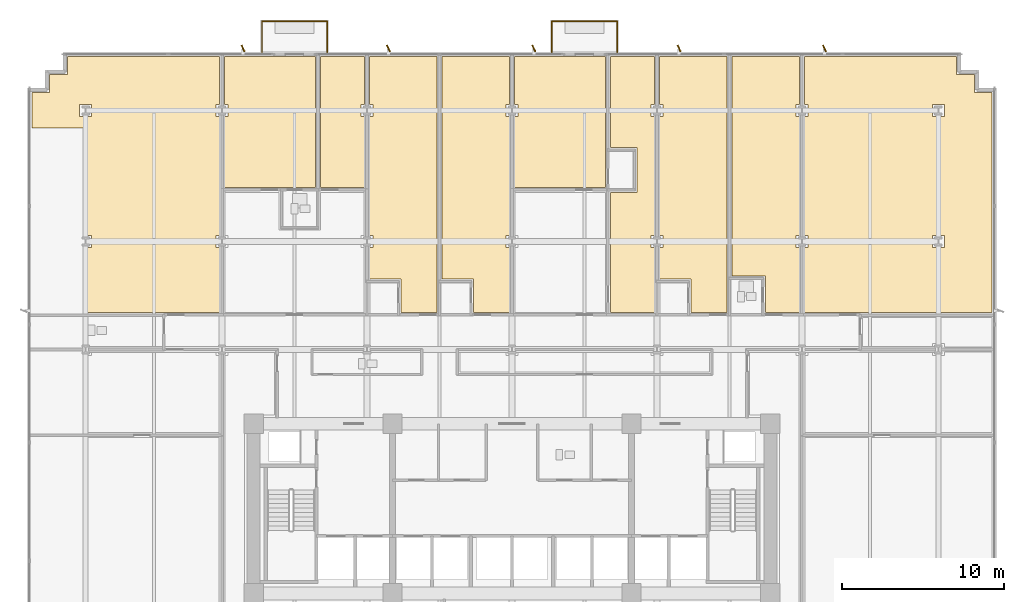
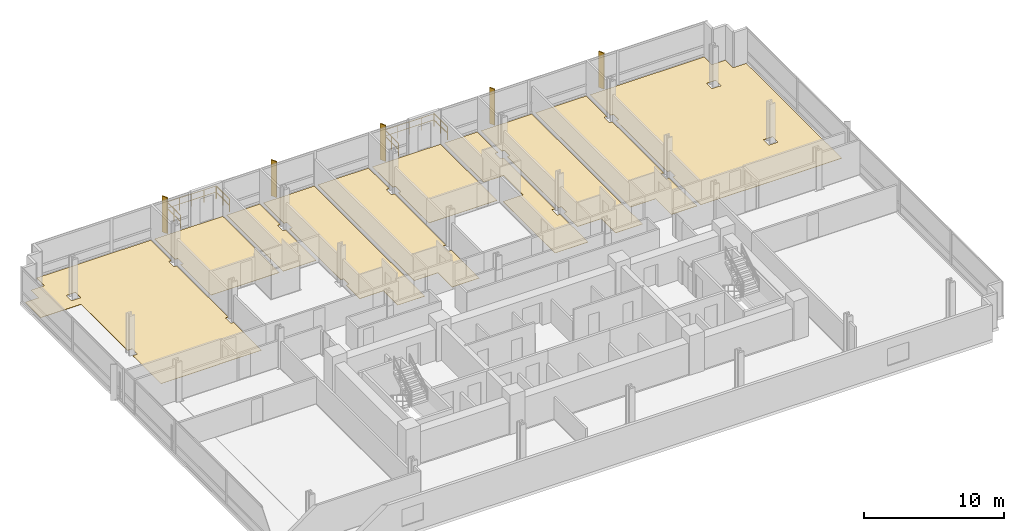
# One storey, part 14 of 15: 10 coverings, 6 railings, 5 shading devices.
"""IFC4 building model written with IfcOpenShell, lengths in metres."""

from ifc_helpers import new_model, si_unit, direction, frame, origin, origin_2d, place, context, subcontext, project, spatial, polyline, rectangle, circle, outline, extrude, material, layer, layer_set, type_object, element, save


model = new_model("IFC4")

# Units and contexts
model_context = context("Model", 3, precision=1e-05, world=origin(), true_north=direction((0.0, 1.0)))
body_context = subcontext(model_context, "Body", "Model", "MODEL_VIEW")
ifc_project = project(units=[si_unit("LENGTHUNIT", "METRE"), si_unit("AREAUNIT", "SQUARE_METRE"), si_unit("VOLUMEUNIT", "CUBIC_METRE"), si_unit("PLANEANGLEUNIT", "RADIAN"), si_unit("MASSUNIT", "GRAM", prefix="KILO")], contexts=[model_context])

# Site, building, storey
site_placement = place(None, origin())
site = spatial("IfcSite", under=ifc_project, at=site_placement, CompositionType="ELEMENT")
building_placement = place(site_placement, origin())
building = spatial("IfcBuilding", under=site, at=building_placement, Name="Solmavex Isthmus Hotel", CompositionType="ELEMENT")
storey_placement = place(building_placement, frame((0.0, 0.0, 71.25)))
storey = spatial("IfcBuildingStorey", under=building, at=storey_placement, Name="L19", CompositionType="ELEMENT", Elevation=71.25)

# Coverings
ifc_material_1 = material(Name="Travertine natural stone", Category="masonry")
ifc_layer_1 = layer(ifc_material_1, 0.02490234375)
ifc_layer_set_1 = layer_set([ifc_layer_1], Name="Travertine natural stone")
covering_type = type_object("IfcCoveringType", Name="COV-FLOR-STN", PredefinedType="FLOORING", material=ifc_layer_set_1)
covering_1_placement = place(storey_placement, origin())
element("IfcCovering", 1, at=covering_1_placement, inside=storey, type_object=covering_type, Name="Stone and Timber Floor Finish L19-RM01", PredefinedType="FLOORING", context=body_context, shape_type="SweptSolid", body=[
    extrude(outline(polyline([(-21.70703125, 4.385009765625), (-21.70703125, 4.405029296875), (-18.10693359375, 4.405029296875), (-18.10693359375, 8.407958984375), (-18.33203125, 8.407958984375), (-18.33203125, 9.16796875), (-18.10693359375, 9.16796875), (-18.10693359375, 16.52001953125), (-18.33203125, 16.52001953125), (-18.33203125, 17.280029296875), (-18.10693359375, 17.280029296875), (-18.10693359375, 20.22509765625), (-27.52490234375, 20.22509765625), (-27.52490234375, 19.125), (-28.625, 19.125), (-28.625, 18.02490234375), (-29.72509765625, 18.02490234375), (-29.72509765625, 15.800048828125), (-26.39990234375, 15.800048828125), (-26.39990234375, 9.16796875), (-26.02001953125, 9.16796875), (-26.02001953125, 8.407958984375), (-26.39990234375, 8.407958984375), (-26.39990234375, 4.385009765625), (-21.70703125, 4.385009765625)]), holes=[polyline([(-26.780029296875, 17.280029296875), (-26.02001953125, 17.280029296875), (-26.02001953125, 16.52001953125), (-26.780029296875, 16.52001953125), (-26.780029296875, 17.280029296875)])]), origin(), (0.0, 0.0, 1.0), 0.02490234375),
])
covering_2_placement = place(storey_placement, origin())
element("IfcCovering", 2, at=covering_2_placement, inside=storey, type_object=covering_type, Name="Stone and Timber Floor Finish L19-TB02", PredefinedType="FLOORING", context=body_context, shape_type="SweptSolid", body=[
    extrude(outline(polyline([(-17.797119140625, 17.280029296875), (-17.572021484375, 17.280029296875), (-17.572021484375, 16.52001953125), (-17.797119140625, 16.52001953125), (-17.797119140625, 12.14306640625), (-12.1689453125, 12.14306640625), (-12.1689453125, 20.22509765625), (-17.797119140625, 20.22509765625), (-17.797119140625, 17.280029296875)])), origin(), (0.0, 0.0, 1.0), 0.02490234375),
])
covering_3_placement = place(storey_placement, origin())
element("IfcCovering", 3, at=covering_3_placement, inside=storey, type_object=covering_type, Name="Stone and Timber Floor Finish L19-TL02", PredefinedType="FLOORING", context=body_context, shape_type="SweptSolid", body=[
    extrude(outline(polyline([(-9.131103515625, 16.52001953125), (-9.35595703125, 16.52001953125), (-9.35595703125, 17.280029296875), (-9.131103515625, 17.280029296875), (-9.131103515625, 20.22509765625), (-11.85888671875, 20.22509765625), (-11.85888671875, 12.14306640625), (-9.131103515625, 12.14306640625), (-9.131103515625, 16.52001953125)])), origin(), (0.0, 0.0, 1.0), 0.02490234375),
])
covering_4_placement = place(storey_placement, origin())
element("IfcCovering", 4, at=covering_4_placement, inside=storey, type_object=covering_type, Name="Stone and Timber Floor Finish L19-RM03", PredefinedType="FLOORING", context=body_context, shape_type="SweptSolid", body=[
    extrude(outline(polyline([(-8.821044921875, 9.16796875), (-8.595947265625, 9.16796875), (-8.595947265625, 8.407958984375), (-8.821044921875, 8.407958984375), (-8.821044921875, 6.455078125), (-6.87109375, 6.455078125), (-6.87109375, 4.405029296875), (-4.64306640625, 4.405029296875), (-4.64306640625, 20.22509765625), (-8.821044921875, 20.22509765625), (-8.821044921875, 17.280029296875), (-8.595947265625, 17.280029296875), (-8.595947265625, 16.52001953125), (-8.821044921875, 16.52001953125), (-8.821044921875, 9.16796875)])), origin(), (0.0, 0.0, 1.0), 0.02490234375),
])
covering_5_placement = place(storey_placement, origin())
element("IfcCovering", 5, at=covering_5_placement, inside=storey, type_object=covering_type, Name="Stone and Timber Floor Finish L19-RM04", PredefinedType="FLOORING", context=body_context, shape_type="SweptSolid", body=[
    extrude(outline(polyline([(-0.155029296875, 16.52001953125), (-0.3798828125, 16.52001953125), (-0.3798828125, 17.280029296875), (-0.155029296875, 17.280029296875), (-0.155029296875, 20.22509765625), (-4.3330078125, 20.22509765625), (-4.3330078125, 6.455078125), (-2.383056640625, 6.455078125), (-2.383056640625, 4.405029296875), (-0.155029296875, 4.405029296875), (-0.155029296875, 8.407958984375), (-0.3798828125, 8.407958984375), (-0.3798828125, 9.16796875), (-0.155029296875, 9.16796875), (-0.155029296875, 16.52001953125)])), origin(), (0.0, 0.0, 1.0), 0.02490234375),
])
covering_6_placement = place(storey_placement, origin())
element("IfcCovering", 6, at=covering_6_placement, inside=storey, type_object=covering_type, Name="Stone and Timber Floor Finish L19-SL05-BD", PredefinedType="FLOORING", context=body_context, shape_type="SweptSolid", body=[
    extrude(outline(polyline([(0.155029296875, 17.280029296875), (0.3798828125, 17.280029296875), (0.3798828125, 16.52001953125), (0.155029296875, 16.52001953125), (0.155029296875, 12.14306640625), (5.782958984375, 12.14306640625), (5.782958984375, 20.22509765625), (0.155029296875, 20.22509765625), (0.155029296875, 17.280029296875)])), origin(), (0.0, 0.0, 1.0), 0.02490234375),
])
covering_7_placement = place(storey_placement, origin())
element("IfcCovering", 7, at=covering_7_placement, inside=storey, type_object=covering_type, Name="Stone and Timber Floor Finish L19-SV05", PredefinedType="FLOORING", context=body_context, shape_type="SweptSolid", body=[
    extrude(outline(polyline([(8.821044921875, 16.52001953125), (8.595947265625, 16.52001953125), (8.595947265625, 17.280029296875), (8.821044921875, 17.280029296875), (8.821044921875, 20.22509765625), (6.093017578125, 20.22509765625), (6.093017578125, 14.593017578125), (7.73095703125, 14.593017578125), (7.73095703125, 11.8330078125), (6.093017578125, 11.8330078125), (6.093017578125, 4.405029296875), (8.821044921875, 4.405029296875), (8.821044921875, 8.407958984375), (8.595947265625, 8.407958984375), (8.595947265625, 9.16796875), (8.821044921875, 9.16796875), (8.821044921875, 16.52001953125)])), origin(), (0.0, 0.0, 1.0), 0.02490234375),
])
covering_8_placement = place(storey_placement, origin())
element("IfcCovering", 8, at=covering_8_placement, inside=storey, type_object=covering_type, Name="Stone and Timber Floor Finish L19-RM06", PredefinedType="FLOORING", context=body_context, shape_type="SweptSolid", body=[
    extrude(outline(polyline([(9.131103515625, 9.16796875), (9.35595703125, 9.16796875), (9.35595703125, 8.407958984375), (9.131103515625, 8.407958984375), (9.131103515625, 6.455078125), (11.0810546875, 6.455078125), (11.0810546875, 4.405029296875), (13.30908203125, 4.405029296875), (13.30908203125, 20.22509765625), (9.131103515625, 20.22509765625), (9.131103515625, 17.280029296875), (9.35595703125, 17.280029296875), (9.35595703125, 16.52001953125), (9.131103515625, 16.52001953125), (9.131103515625, 9.16796875)])), origin(), (0.0, 0.0, 1.0), 0.02490234375),
])
covering_9_placement = place(storey_placement, origin())
element("IfcCovering", 9, at=covering_9_placement, inside=storey, type_object=covering_type, Name="Stone and Timber Floor Finish L19-RM07", PredefinedType="FLOORING", context=body_context, shape_type="SweptSolid", body=[
    extrude(outline(polyline([(17.797119140625, 16.52001953125), (17.572021484375, 16.52001953125), (17.572021484375, 17.280029296875), (17.797119140625, 17.280029296875), (17.797119140625, 20.22509765625), (13.618896484375, 20.22509765625), (13.618896484375, 6.655029296875), (15.68359375, 6.655029296875), (15.68359375, 4.405029296875), (17.797119140625, 4.405029296875), (17.797119140625, 8.407958984375), (17.572021484375, 8.407958984375), (17.572021484375, 9.16796875), (17.797119140625, 9.16796875), (17.797119140625, 16.52001953125)])), origin(), (0.0, 0.0, 1.0), 0.02490234375),
])
covering_10_placement = place(storey_placement, origin())
element("IfcCovering", 10, at=covering_10_placement, inside=storey, type_object=covering_type, Name="Stone and Timber Floor Finish L19-RM08", PredefinedType="FLOORING", context=body_context, shape_type="SweptSolid", body=[
    extrude(outline(polyline([(18.10693359375, 9.16796875), (18.33203125, 9.16796875), (18.33203125, 8.407958984375), (18.10693359375, 8.407958984375), (18.10693359375, 4.405029296875), (21.70703125, 4.405029296875), (21.70703125, 4.385009765625), (29.72509765625, 4.385009765625), (29.72509765625, 18.02490234375), (28.625, 18.02490234375), (28.625, 19.125), (27.52490234375, 19.125), (27.52490234375, 20.22509765625), (18.10693359375, 20.22509765625), (18.10693359375, 17.280029296875), (18.33203125, 17.280029296875), (18.33203125, 16.52001953125), (18.10693359375, 16.52001953125), (18.10693359375, 9.16796875)]), holes=[polyline([(26.02001953125, 8.407958984375), (26.02001953125, 9.16796875), (26.780029296875, 9.16796875), (26.780029296875, 8.407958984375), (26.02001953125, 8.407958984375)]), polyline([(26.02001953125, 16.52001953125), (26.02001953125, 17.280029296875), (26.780029296875, 17.280029296875), (26.780029296875, 16.52001953125), (26.02001953125, 16.52001953125)])]), origin(), (0.0, 0.0, 1.0), 0.02490234375),
])

# Railings
ifc_material_2 = material(Name="Clear low-E laminated glass", Category="glass")
ifc_layer_2 = layer(ifc_material_2, 0.070068359375)
ifc_layer_set_2 = layer_set([ifc_layer_2], Name="Clear low-E laminated glass")
railing_type = type_object("IfcRailingType", Name="RAIL-GUARD-1100", PredefinedType="BALUSTRADE", material=ifc_layer_set_2)
railing_1_placement = place(storey_placement, frame((-15.48388671875, 20.5, 0.0)))
element("IfcRailing", 11, at=railing_1_placement, inside=storey, type_object=railing_type, Name="Guardrail Balustrade L19-BAL1-01", PredefinedType="BALUSTRADE", context=body_context, shape_type="SweptSolid", body=[
    extrude(circle(Radius=0.02392578125, at=origin_2d()), frame((0.0, 0.0, 1.09619140625), z_axis=(0.0, 1.0, 0.0), x_axis=(-1.0, 0.0, 0.0)), (0.0, 0.0, 1.0), 1.919921875),
    extrude(circle(Radius=0.02392578125, at=origin_2d()), frame((0.0, 0.0, 0.56005859375), z_axis=(0.0, 1.0, 0.0), x_axis=(-1.0, 0.0, 0.0)), (0.0, 0.0, 1.0), 1.919921875),
    extrude(circle(Radius=0.02099609375, at=origin_2d()), origin(), (0.0, 0.0, 1.0), 1.072021484375),
    extrude(circle(Radius=0.02099609375, at=origin_2d()), frame((0.0, 0.9599609375, 0.0)), (0.0, 0.0, 1.0), 1.072021484375),
    extrude(circle(Radius=0.02099609375, at=origin_2d()), frame((0.0, 1.919921875, 0.0)), (0.0, 0.0, 1.0), 1.072021484375),
])
railing_2_placement = place(storey_placement, frame((-15.48388671875, 22.419921875, 0.0)))
element("IfcRailing", 12, at=railing_2_placement, inside=storey, type_object=railing_type, Name="Guardrail Balustrade L19-BAL1-02", PredefinedType="BALUSTRADE", context=body_context, shape_type="SweptSolid", body=[
    extrude(circle(Radius=0.02392578125, at=origin_2d()), frame((0.0, 0.0, 1.09619140625), z_axis=(1.0, 0.0, 0.0), x_axis=(0.0, 1.0, 0.0)), (0.0, 0.0, 1.0), 4.039794921875),
    extrude(circle(Radius=0.02392578125, at=origin_2d()), frame((0.0, 0.0, 0.56005859375), z_axis=(1.0, 0.0, 0.0), x_axis=(0.0, 1.0, 0.0)), (0.0, 0.0, 1.0), 4.039794921875),
    extrude(circle(Radius=0.02099609375, at=origin_2d()), origin(), (0.0, 0.0, 1.0), 1.072021484375),
    extrude(circle(Radius=0.02099609375, at=origin_2d()), frame((1.010009765625, 0.0, 0.0)), (0.0, 0.0, 1.0), 1.072021484375),
    extrude(circle(Radius=0.02099609375, at=origin_2d()), frame((2.02001953125, 0.0, 0.0)), (0.0, 0.0, 1.0), 1.072021484375),
    extrude(circle(Radius=0.02099609375, at=origin_2d()), frame((3.02978515625, 0.0, 0.0)), (0.0, 0.0, 1.0), 1.072021484375),
    extrude(circle(Radius=0.02099609375, at=origin_2d()), frame((4.039794921875, 0.0, 0.0)), (0.0, 0.0, 1.0), 1.072021484375),
])
railing_3_placement = place(storey_placement, frame((-11.444091796875, 22.419921875, 0.0)))
element("IfcRailing", 13, at=railing_3_placement, inside=storey, type_object=railing_type, Name="Guardrail Balustrade L19-BAL1-03", PredefinedType="BALUSTRADE", context=body_context, shape_type="SweptSolid", body=[
    extrude(circle(Radius=0.02392578125, at=origin_2d()), frame((0.0, 0.0, 1.09619140625), z_axis=(0.0, -1.0, 0.0), x_axis=(1.0, 0.0, 0.0)), (0.0, 0.0, 1.0), 1.919921875),
    extrude(circle(Radius=0.02392578125, at=origin_2d()), frame((0.0, 0.0, 0.56005859375), z_axis=(0.0, -1.0, 0.0), x_axis=(1.0, 0.0, 0.0)), (0.0, 0.0, 1.0), 1.919921875),
    extrude(circle(Radius=0.02099609375, at=origin_2d()), origin(), (0.0, 0.0, 1.0), 1.072021484375),
    extrude(circle(Radius=0.02099609375, at=origin_2d()), frame((0.0, -0.9599609375, 0.0)), (0.0, 0.0, 1.0), 1.072021484375),
    extrude(circle(Radius=0.02099609375, at=origin_2d()), frame((0.0, -1.919921875, 0.0)), (0.0, 0.0, 1.0), 1.072021484375),
])
railing_4_placement = place(storey_placement, frame((2.468017578125, 20.5, 0.0)))
element("IfcRailing", 14, at=railing_4_placement, inside=storey, type_object=railing_type, Name="Guardrail Balustrade L19-BAL2-01", PredefinedType="BALUSTRADE", context=body_context, shape_type="SweptSolid", body=[
    extrude(circle(Radius=0.02392578125, at=origin_2d()), frame((0.0, 0.0, 1.09619140625), z_axis=(0.0, 1.0, 0.0), x_axis=(-1.0, 0.0, 0.0)), (0.0, 0.0, 1.0), 1.919921875),
    extrude(circle(Radius=0.02392578125, at=origin_2d()), frame((0.0, 0.0, 0.56005859375), z_axis=(0.0, 1.0, 0.0), x_axis=(-1.0, 0.0, 0.0)), (0.0, 0.0, 1.0), 1.919921875),
    extrude(circle(Radius=0.02099609375, at=origin_2d()), origin(), (0.0, 0.0, 1.0), 1.072021484375),
    extrude(circle(Radius=0.02099609375, at=origin_2d()), frame((0.0, 0.9599609375, 0.0)), (0.0, 0.0, 1.0), 1.072021484375),
    extrude(circle(Radius=0.02099609375, at=origin_2d()), frame((0.0, 1.919921875, 0.0)), (0.0, 0.0, 1.0), 1.072021484375),
])
railing_5_placement = place(storey_placement, frame((2.468017578125, 22.419921875, 0.0)))
element("IfcRailing", 15, at=railing_5_placement, inside=storey, type_object=railing_type, Name="Guardrail Balustrade L19-BAL2-02", PredefinedType="BALUSTRADE", context=body_context, shape_type="SweptSolid", body=[
    extrude(circle(Radius=0.02392578125, at=origin_2d()), frame((0.0, 0.0, 1.09619140625), z_axis=(1.0, 0.0, 0.0), x_axis=(0.0, 1.0, 0.0)), (0.0, 0.0, 1.0), 4.0400390625),
    extrude(circle(Radius=0.02392578125, at=origin_2d()), frame((0.0, 0.0, 0.56005859375), z_axis=(1.0, 0.0, 0.0), x_axis=(0.0, 1.0, 0.0)), (0.0, 0.0, 1.0), 4.0400390625),
    extrude(circle(Radius=0.02099609375, at=origin_2d()), origin(), (0.0, 0.0, 1.0), 1.072021484375),
    extrude(circle(Radius=0.02099609375, at=origin_2d()), frame((1.010009765625, 0.0, 0.0)), (0.0, 0.0, 1.0), 1.072021484375),
    extrude(circle(Radius=0.02099609375, at=origin_2d()), frame((2.02001953125, 0.0, 0.0)), (0.0, 0.0, 1.0), 1.072021484375),
    extrude(circle(Radius=0.02099609375, at=origin_2d()), frame((3.030029296875, 0.0, 0.0)), (0.0, 0.0, 1.0), 1.072021484375),
    extrude(circle(Radius=0.02099609375, at=origin_2d()), frame((4.0400390625, 0.0, 0.0)), (0.0, 0.0, 1.0), 1.072021484375),
])
railing_6_placement = place(storey_placement, frame((6.508056640625, 22.419921875, 0.0)))
element("IfcRailing", 16, at=railing_6_placement, inside=storey, type_object=railing_type, Name="Guardrail Balustrade L19-BAL2-03", PredefinedType="BALUSTRADE", context=body_context, shape_type="SweptSolid", body=[
    extrude(circle(Radius=0.02392578125, at=origin_2d()), frame((0.0, 0.0, 1.09619140625), z_axis=(0.0, -1.0, 0.0), x_axis=(1.0, 0.0, 0.0)), (0.0, 0.0, 1.0), 1.919921875),
    extrude(circle(Radius=0.02392578125, at=origin_2d()), frame((0.0, 0.0, 0.56005859375), z_axis=(0.0, -1.0, 0.0), x_axis=(1.0, 0.0, 0.0)), (0.0, 0.0, 1.0), 1.919921875),
    extrude(circle(Radius=0.02099609375, at=origin_2d()), origin(), (0.0, 0.0, 1.0), 1.072021484375),
    extrude(circle(Radius=0.02099609375, at=origin_2d()), frame((0.0, -0.9599609375, 0.0)), (0.0, 0.0, 1.0), 1.072021484375),
    extrude(circle(Radius=0.02099609375, at=origin_2d()), frame((0.0, -1.919921875, 0.0)), (0.0, 0.0, 1.0), 1.072021484375),
])

# Shading devices
ifc_material_3 = material(Name="Aluminium alloy 6063-T6", Category="aluminium")
shading_device_type = type_object("IfcShadingDeviceType", Name="SHD-FIN-BRONZE", PredefinedType="USERDEFINED", material=ifc_material_3)
for number, where, z_axis, x_axis, name in (
    (17, (-16.64990234375, 20.739990234375, -0.14013671875), (0.0, 0.0, 1.0), (-0.438371146789, 0.898794046299, 0.0), "Anodised Aluminium Solar Fin L19-N1"),
    (18, (-7.64990234375, 20.739990234375, -0.14013671875), (0.0, 0.0, 1.0), (-0.438371146789, 0.898794046299, 0.0), "Anodised Aluminium Solar Fin L19-N2"),
    (19, (1.35009765625, 20.739990234375, -0.14013671875), (0.0, 0.0, 1.0), (-0.438371146789, 0.898794046299, 0.0), "Anodised Aluminium Solar Fin L19-N3"),
    (20, (10.35009765625, 20.739990234375, -0.14013671875), (0.0, 0.0, 1.0), (-0.438371146789, 0.898794046299, 0.0), "Anodised Aluminium Solar Fin L19-N4"),
    (21, (19.35009765625, 20.739990234375, -0.14013671875), (0.0, 0.0, 1.0), (-0.438371146789, 0.898794046299, 0.0), "Anodised Aluminium Solar Fin L19-N5"),
):
    element("IfcShadingDevice", number, at=place(storey_placement, frame(where, z_axis=z_axis, x_axis=x_axis)), inside=storey, type_object=shading_device_type, Name=name, ObjectType="SOLAR_FIN", PredefinedType="USERDEFINED", context=body_context, shape_type="SweptSolid", body=[
        extrude(rectangle(XDim=0.449951171875, YDim=0.080078125, at=origin_2d()), origin(), (0.0, 0.0, 1.0), 3.139892578125),
    ])

save(model, "model.ifc")
